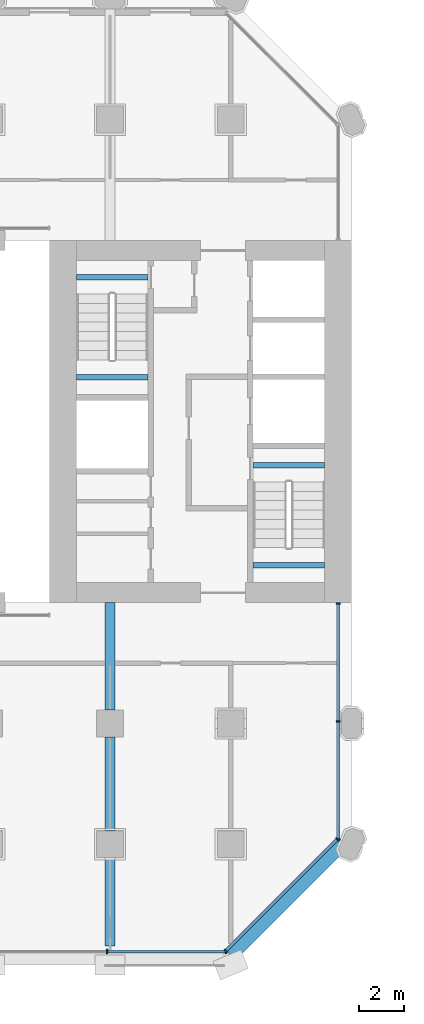
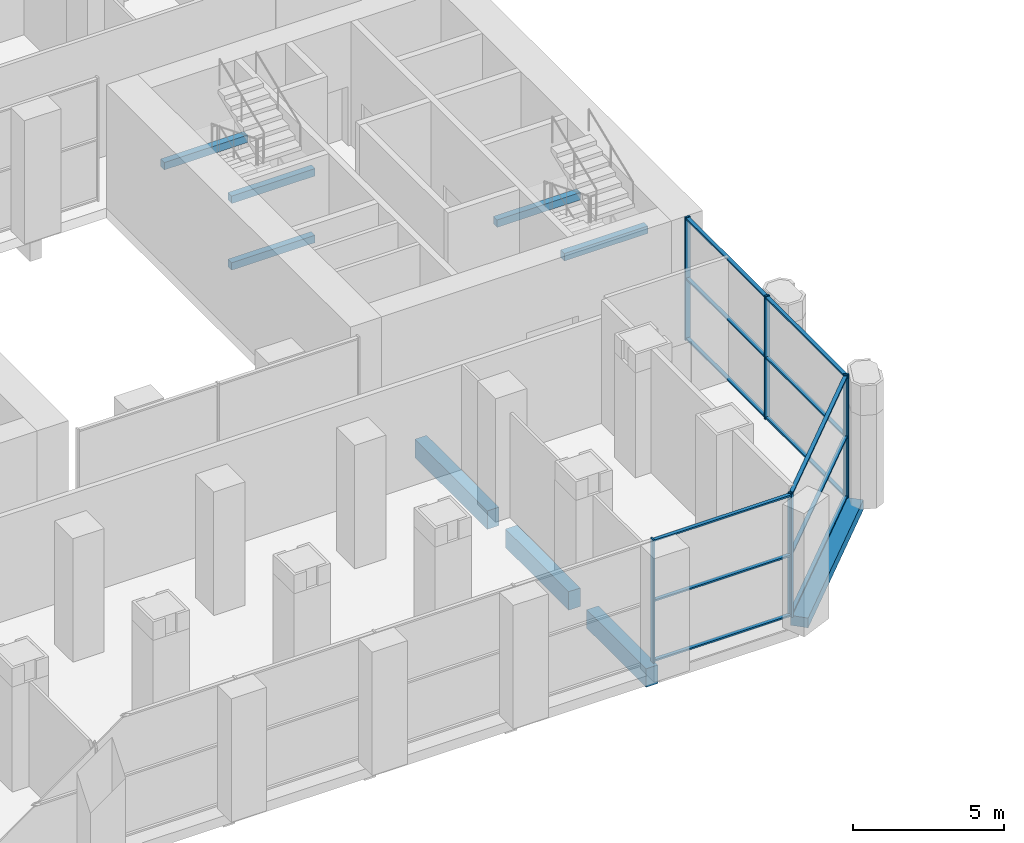
# One storey, part 6 of 27: 19 members, 9 beams, 3 elements without a shape of their own.
"""IFC4 building model written with IfcOpenShell, lengths in metres."""

from ifc_helpers import new_model, si_unit, direction, frame, origin, origin_2d, place, context, subcontext, project, spatial, rectangle, extrude, material, material_profile, profile_set, type_object, element, aggregate, save


model = new_model("IFC4")

# Units and contexts
model_context = context("Model", 3, precision=1e-05, world=origin(), true_north=direction((0.0, 1.0)))
body_context = subcontext(model_context, "Body", "Model", "MODEL_VIEW")
ifc_project = project(units=[si_unit("LENGTHUNIT", "METRE"), si_unit("AREAUNIT", "SQUARE_METRE"), si_unit("VOLUMEUNIT", "CUBIC_METRE"), si_unit("PLANEANGLEUNIT", "RADIAN"), si_unit("MASSUNIT", "GRAM", prefix="KILO")], contexts=[model_context])

# Site, building, storey
site_placement = place(None, origin())
site = spatial("IfcSite", under=ifc_project, at=site_placement, CompositionType="ELEMENT")
building_placement = place(site_placement, origin())
building = spatial("IfcBuilding", under=site, at=building_placement, Name="Tabaq Tower and Sports Hall", CompositionType="ELEMENT")
storey_placement = place(building_placement, frame((0.0, 0.0, 14.39990234375)))
storey = spatial("IfcBuildingStorey", under=building, at=storey_placement, Name="L02", CompositionType="ELEMENT", Elevation=14.39990234375)

# Curtain wall, members
ifc_material_1 = material(Name="Aluminium alloy 6063-T6 framed glazing", Category="aluminium")
curtain_wall_type = type_object("IfcCurtainWallType", Name="CW7 curtain wall", PredefinedType="USERDEFINED", material=ifc_material_1)
curtain_wall_1_placement = place(storey_placement, origin())
curtain_wall_1 = element("IfcCurtainWall", 1, at=curtain_wall_1_placement, inside=storey, type_object=curtain_wall_type, Name="Podium Wall L02 S", ObjectType="PODIUM WALL", PredefinedType="USERDEFINED")
ifc_material_2 = material(Name="Aluminium alloy 6063-T6", Category="aluminium")
ifc_material_profile_1 = material_profile(ifc_material_2, rectangle(XDim=0.179931640625, YDim=0.06494140625, at=origin_2d()), Name="MULLION 180x65")
ifc_profile_set_1 = profile_set([ifc_material_profile_1], Name="Aluminium alloy 6063-T6")
member_type_1 = type_object("IfcMemberType", Name="CW7 mullion 180x65", PredefinedType="MULLION", material=ifc_profile_set_1)
member_1_placement = place(storey_placement, frame((32.275634765625, 0.60009765625, 0.0), z_axis=(0.0, 0.0, 1.0), x_axis=(0.0, 1.0, 0.0)))
member_1 = element("IfcMember", 2, at=member_1_placement, type_object=member_type_1, Name="CW7 mullion 6", PredefinedType="MULLION", context=body_context, shape_type="SweptSolid", body=[
    extrude(rectangle(XDim=0.179931640625, YDim=0.06494140625, at=origin_2d()), origin(), (0.0, 0.0, 1.0), 5.0),
])
member_2_placement = place(storey_placement, frame((37.5810546875, 0.60009765625, 0.0), z_axis=(0.0, 0.0, 1.0), x_axis=(0.0, 1.0, 0.0)))
member_2 = element("IfcMember", 3, at=member_2_placement, type_object=member_type_1, Name="CW7 mullion 7", PredefinedType="MULLION", context=body_context, shape_type="SweptSolid", body=[
    extrude(rectangle(XDim=0.179931640625, YDim=0.06494140625, at=origin_2d()), origin(), (0.0, 0.0, 1.0), 5.0),
])

curtain_wall_2_placement = place(storey_placement, origin())
curtain_wall_2 = element("IfcCurtainWall", 4, at=curtain_wall_2_placement, inside=storey, type_object=curtain_wall_type, Name="Podium Wall L02 SE", ObjectType="PODIUM WALL", PredefinedType="USERDEFINED")
member_3_placement = place(storey_placement, frame((37.574462890625, 0.623046875, 0.0), z_axis=(0.0, 0.0, 1.0), x_axis=(-0.707106781187, 0.707106781187, 0.0)))
member_3 = element("IfcMember", 5, at=member_3_placement, type_object=member_type_1, Name="CW7 mullion 1", PredefinedType="MULLION", context=body_context, shape_type="SweptSolid", body=[
    extrude(rectangle(XDim=0.179931640625, YDim=0.06494140625, at=origin_2d()), origin(), (0.0, 0.0, 1.0), 5.0),
])
member_4_placement = place(storey_placement, frame((42.576904296875, 5.62548828125, 0.0), z_axis=(0.0, 0.0, 1.0), x_axis=(-0.707106781187, 0.707106781187, 0.0)))
member_4 = element("IfcMember", 6, at=member_4_placement, type_object=member_type_1, Name="CW7 mullion 2", PredefinedType="MULLION", context=body_context, shape_type="SweptSolid", body=[
    extrude(rectangle(XDim=0.179931640625, YDim=0.06494140625, at=origin_2d()), origin(), (0.0, 0.0, 1.0), 5.0),
])

curtain_wall_3_placement = place(storey_placement, origin())
curtain_wall_3 = element("IfcCurtainWall", 7, at=curtain_wall_3_placement, inside=storey, type_object=curtain_wall_type, Name="Podium Wall L02 E", ObjectType="PODIUM WALL", PredefinedType="USERDEFINED")
member_5_placement = place(storey_placement, frame((42.60009765625, 5.618896484375, 0.0), z_axis=(0.0, 0.0, 1.0), x_axis=(-1.0, 0.0, 0.0)))
member_5 = element("IfcMember", 8, at=member_5_placement, type_object=member_type_1, Name="CW7 mullion 1", PredefinedType="MULLION", context=body_context, shape_type="SweptSolid", body=[
    extrude(rectangle(XDim=0.179931640625, YDim=0.06494140625, at=origin_2d()), origin(), (0.0, 0.0, 1.0), 5.0),
])
member_6_placement = place(storey_placement, frame((42.60009765625, 10.893310546875, 0.0), z_axis=(0.0, 0.0, 1.0), x_axis=(-1.0, 0.0, 0.0)))
member_6 = element("IfcMember", 9, at=member_6_placement, type_object=member_type_1, Name="CW7 mullion 2", PredefinedType="MULLION", context=body_context, shape_type="SweptSolid", body=[
    extrude(rectangle(XDim=0.179931640625, YDim=0.06494140625, at=origin_2d()), origin(), (0.0, 0.0, 1.0), 5.0),
])
member_7_placement = place(storey_placement, frame((42.60009765625, 16.16748046875, 0.0), z_axis=(0.0, 0.0, 1.0), x_axis=(-1.0, 0.0, 0.0)))
member_7 = element("IfcMember", 10, at=member_7_placement, type_object=member_type_1, Name="CW7 mullion 3", PredefinedType="MULLION", context=body_context, shape_type="SweptSolid", body=[
    extrude(rectangle(XDim=0.179931640625, YDim=0.06494140625, at=origin_2d()), origin(), (0.0, 0.0, 1.0), 5.0),
])

# Member
ifc_material_3 = material(Name="Aluminium alloy 6063-T6", Category="aluminium")
ifc_material_profile_2 = material_profile(ifc_material_3, rectangle(XDim=0.139892578125, YDim=0.06494140625, at=origin_2d()), Name="TRANSOM 140x65")
ifc_profile_set_2 = profile_set([ifc_material_profile_2], Name="Aluminium alloy 6063-T6")
member_type_2 = type_object("IfcMemberType", Name="CW7 transom 140x65", PredefinedType="USERDEFINED", material=ifc_profile_set_2)
member_8_placement = place(storey_placement, frame((32.308349609375, 0.60009765625, 0.070068359375), z_axis=(1.0, 0.0, 0.0), x_axis=(0.0, 1.0, 0.0)))
member_8 = element("IfcMember", 11, at=member_8_placement, type_object=member_type_2, Name="CW7 transom 6.1", ObjectType="TRANSOM", PredefinedType="USERDEFINED", context=body_context, shape_type="SweptSolid", body=[
    extrude(rectangle(XDim=0.139892578125, YDim=0.06494140625, at=origin_2d()), origin(), (0.0, 0.0, 1.0), 5.240234375),
])

member_9_placement = place(storey_placement, frame((32.308349609375, 0.60009765625, 2.5), z_axis=(1.0, 0.0, 0.0), x_axis=(0.0, 1.0, 0.0)))
member_9 = element("IfcMember", 12, at=member_9_placement, type_object=member_type_2, Name="CW7 transom 6.2", ObjectType="TRANSOM", PredefinedType="USERDEFINED", context=body_context, shape_type="SweptSolid", body=[
    extrude(rectangle(XDim=0.139892578125, YDim=0.06494140625, at=origin_2d()), origin(), (0.0, 0.0, 1.0), 5.240234375),
])

member_10_placement = place(storey_placement, frame((32.308349609375, 0.60009765625, 4.93017578125), z_axis=(1.0, 0.0, 0.0), x_axis=(0.0, 1.0, 0.0)))
member_10 = element("IfcMember", 13, at=member_10_placement, type_object=member_type_2, Name="CW7 transom 6.3", ObjectType="TRANSOM", PredefinedType="USERDEFINED", context=body_context, shape_type="SweptSolid", body=[
    extrude(rectangle(XDim=0.139892578125, YDim=0.06494140625, at=origin_2d()), origin(), (0.0, 0.0, 1.0), 5.240234375),
])

aggregate(curtain_wall_1, [member_1, member_2, member_8, member_9, member_10])

member_11_placement = place(storey_placement, frame((37.597412109375, 0.64599609375, 0.070068359375), z_axis=(0.707106781187, 0.707106781187, 0.0), x_axis=(-0.707106781187, 0.707106781187, 0.0)))
member_11 = element("IfcMember", 14, at=member_11_placement, type_object=member_type_2, Name="CW7 transom 1.1", ObjectType="TRANSOM", PredefinedType="USERDEFINED", context=body_context, shape_type="SweptSolid", body=[
    extrude(rectangle(XDim=0.139892578125, YDim=0.06494140625, at=origin_2d()), origin(), (0.0, 0.0, 1.0), 7.009521484375),
])

member_12_placement = place(storey_placement, frame((37.597412109375, 0.64599609375, 2.5), z_axis=(0.707106781187, 0.707106781187, 0.0), x_axis=(-0.707106781187, 0.707106781187, 0.0)))
member_12 = element("IfcMember", 15, at=member_12_placement, type_object=member_type_2, Name="CW7 transom 1.2", ObjectType="TRANSOM", PredefinedType="USERDEFINED", context=body_context, shape_type="SweptSolid", body=[
    extrude(rectangle(XDim=0.139892578125, YDim=0.06494140625, at=origin_2d()), origin(), (0.0, 0.0, 1.0), 7.009521484375),
])

member_13_placement = place(storey_placement, frame((37.597412109375, 0.64599609375, 4.93017578125), z_axis=(0.707106781187, 0.707106781187, 0.0), x_axis=(-0.707106781187, 0.707106781187, 0.0)))
member_13 = element("IfcMember", 16, at=member_13_placement, type_object=member_type_2, Name="CW7 transom 1.3", ObjectType="TRANSOM", PredefinedType="USERDEFINED", context=body_context, shape_type="SweptSolid", body=[
    extrude(rectangle(XDim=0.139892578125, YDim=0.06494140625, at=origin_2d()), origin(), (0.0, 0.0, 1.0), 7.009521484375),
])

aggregate(curtain_wall_2, [member_3, member_4, member_11, member_12, member_13])

member_14_placement = place(storey_placement, frame((42.60009765625, 5.6513671875, 0.070068359375), z_axis=(0.0, 1.0, 0.0), x_axis=(-1.0, 0.0, 0.0)))
member_14 = element("IfcMember", 17, at=member_14_placement, type_object=member_type_2, Name="CW7 transom 1.1", ObjectType="TRANSOM", PredefinedType="USERDEFINED", context=body_context, shape_type="SweptSolid", body=[
    extrude(rectangle(XDim=0.139892578125, YDim=0.06494140625, at=origin_2d()), origin(), (0.0, 0.0, 1.0), 5.209228515625),
])

member_15_placement = place(storey_placement, frame((42.60009765625, 5.6513671875, 2.5), z_axis=(0.0, 1.0, 0.0), x_axis=(-1.0, 0.0, 0.0)))
member_15 = element("IfcMember", 18, at=member_15_placement, type_object=member_type_2, Name="CW7 transom 1.2", ObjectType="TRANSOM", PredefinedType="USERDEFINED", context=body_context, shape_type="SweptSolid", body=[
    extrude(rectangle(XDim=0.139892578125, YDim=0.06494140625, at=origin_2d()), origin(), (0.0, 0.0, 1.0), 5.209228515625),
])

member_16_placement = place(storey_placement, frame((42.60009765625, 5.6513671875, 4.93017578125), z_axis=(0.0, 1.0, 0.0), x_axis=(-1.0, 0.0, 0.0)))
member_16 = element("IfcMember", 19, at=member_16_placement, type_object=member_type_2, Name="CW7 transom 1.3", ObjectType="TRANSOM", PredefinedType="USERDEFINED", context=body_context, shape_type="SweptSolid", body=[
    extrude(rectangle(XDim=0.139892578125, YDim=0.06494140625, at=origin_2d()), origin(), (0.0, 0.0, 1.0), 5.209228515625),
])

member_17_placement = place(storey_placement, frame((42.60009765625, 10.92578125, 0.070068359375), z_axis=(0.0, 1.0, 0.0), x_axis=(-1.0, 0.0, 0.0)))
member_17 = element("IfcMember", 20, at=member_17_placement, type_object=member_type_2, Name="CW7 transom 2.1", ObjectType="TRANSOM", PredefinedType="USERDEFINED", context=body_context, shape_type="SweptSolid", body=[
    extrude(rectangle(XDim=0.139892578125, YDim=0.06494140625, at=origin_2d()), origin(), (0.0, 0.0, 1.0), 5.209228515625),
])

member_18_placement = place(storey_placement, frame((42.60009765625, 10.92578125, 2.5), z_axis=(0.0, 1.0, 0.0), x_axis=(-1.0, 0.0, 0.0)))
member_18 = element("IfcMember", 21, at=member_18_placement, type_object=member_type_2, Name="CW7 transom 2.2", ObjectType="TRANSOM", PredefinedType="USERDEFINED", context=body_context, shape_type="SweptSolid", body=[
    extrude(rectangle(XDim=0.139892578125, YDim=0.06494140625, at=origin_2d()), origin(), (0.0, 0.0, 1.0), 5.209228515625),
])

member_19_placement = place(storey_placement, frame((42.60009765625, 10.92578125, 4.93017578125), z_axis=(0.0, 1.0, 0.0), x_axis=(-1.0, 0.0, 0.0)))
member_19 = element("IfcMember", 22, at=member_19_placement, type_object=member_type_2, Name="CW7 transom 2.3", ObjectType="TRANSOM", PredefinedType="USERDEFINED", context=body_context, shape_type="SweptSolid", body=[
    extrude(rectangle(XDim=0.139892578125, YDim=0.06494140625, at=origin_2d()), origin(), (0.0, 0.0, 1.0), 5.209228515625),
])

aggregate(curtain_wall_3, [member_5, member_6, member_7, member_14, member_15, member_16, member_17, member_18, member_19])

# Beams
ifc_material_4 = material(Name="Concrete C40/50", Category="concrete")
ifc_material_profile_3 = material_profile(ifc_material_4, rectangle(XDim=0.449951171875, YDim=0.75, at=origin_2d()), Name="CB 450x750")
ifc_profile_set_3 = profile_set([ifc_material_profile_3], Name="Concrete C40/50")
beam_type_1 = type_object("IfcBeamType", Name="PT CANTILEVER BEAM CB 450x750 C40/50", PredefinedType="BEAM", material=ifc_profile_set_3)
beam_1_placement = place(storey_placement, frame((32.39990234375, 0.85009765625, -0.77490234375), z_axis=(0.0, 1.0, 0.0), x_axis=(-1.0, 0.0, 0.0)))
element("IfcBeam", 23, at=beam_1_placement, inside=storey, type_object=beam_type_1, Name="Cantilever Beam L02 S6 span 1", PredefinedType="BEAM", context=body_context, shape_type="SweptSolid", body=[
    extrude(rectangle(XDim=0.449951171875, YDim=0.75, at=origin_2d()), origin(), (0.0, 0.0, 1.0), 3.949951171875),
])
beam_2_placement = place(storey_placement, frame((32.39990234375, 6.0, -0.77490234375), z_axis=(0.0, 1.0, 0.0), x_axis=(-1.0, 0.0, 0.0)))
element("IfcBeam", 24, at=beam_2_placement, inside=storey, type_object=beam_type_1, Name="Cantilever Beam L02 S6 span 2", PredefinedType="BEAM", context=body_context, shape_type="SweptSolid", body=[
    extrude(rectangle(XDim=0.449951171875, YDim=0.75, at=origin_2d()), origin(), (0.0, 0.0, 1.0), 4.199951171875),
])
beam_3_placement = place(storey_placement, frame((32.39990234375, 11.39990234375, -0.77490234375), z_axis=(0.0, 1.0, 0.0), x_axis=(-1.0, 0.0, 0.0)))
element("IfcBeam", 25, at=beam_3_placement, inside=storey, type_object=beam_type_1, Name="Cantilever Beam L02 S6 span 3", PredefinedType="BEAM", context=body_context, shape_type="SweptSolid", body=[
    extrude(rectangle(XDim=0.449951171875, YDim=0.75, at=origin_2d()), origin(), (0.0, 0.0, 1.0), 4.800048828125),
])
ifc_material_5 = material(Name="Concrete C40/50", Category="concrete")
ifc_material_profile_4 = material_profile(ifc_material_5, rectangle(XDim=0.60009765625, YDim=0.39990234375, at=origin_2d()), Name="EB 600x400")
ifc_profile_set_4 = profile_set([ifc_material_profile_4], Name="Concrete C40/50")
beam_type_2 = type_object("IfcBeamType", Name="PT EDGE BEAM EB 600x400 C40/50", PredefinedType="SPANDREL", material=ifc_profile_set_4)
beam_4_placement = place(storey_placement, frame((37.799072265625, 0.42333984375, -0.199951171875), z_axis=(0.707106781187, 0.707106781187, 0.0), x_axis=(-0.707106781187, 0.707106781187, 0.0)))
element("IfcBeam", 26, at=beam_4_placement, inside=storey, type_object=beam_type_2, Name="Edge Beam L02 2", PredefinedType="SPANDREL", context=body_context, shape_type="SweptSolid", body=[
    extrude(rectangle(XDim=0.60009765625, YDim=0.39990234375, at=origin_2d()), origin(), (0.0, 0.0, 1.0), 7.087890625),
])
ifc_material_6 = material(Name="Concrete C40/50", Category="concrete")
ifc_material_profile_5 = material_profile(ifc_material_6, rectangle(XDim=0.25, YDim=0.300048828125, at=origin_2d()), Name="RC 250x300")
ifc_profile_set_5 = profile_set([ifc_material_profile_5], Name="Concrete C40/50")
beam_type_3 = type_object("IfcBeamType", Name="Stair landing beam 250x300", PredefinedType="BEAM", material=ifc_profile_set_5)
for number, where, z_axis, x_axis, name in (
    (27, (38.800048828125, 22.35009765625, 2.35009765625), (1.0, 0.0, 0.0), (0.0, 1.0, 0.0), "L02 ST3 landing beam 2"),
    (28, (38.800048828125, 17.8798828125, 3.7001953125), (1.0, 0.0, 0.0), (0.0, 1.0, 0.0), "L02 ST3 landing beam 3"),
):
    element("IfcBeam", number, at=place(storey_placement, frame(where, z_axis=z_axis, x_axis=x_axis)), inside=storey, type_object=beam_type_3, Name=name, PredefinedType="BEAM", context=body_context, shape_type="SweptSolid", body=[
        extrude(rectangle(XDim=0.25, YDim=0.300048828125, at=origin_2d()), origin(), (0.0, 0.0, 1.0), 3.199951171875),
    ])
for number, where, z_axis, x_axis, name in (
    (29, (30.89990234375, 26.280029296875, 1.0), (1.0, 0.0, 0.0), (0.0, 1.0, 0.0), "L02 ST4 landing beam 1"),
    (30, (30.89990234375, 30.75, 2.35009765625), (1.0, 0.0, 0.0), (0.0, 1.0, 0.0), "L02 ST4 landing beam 2"),
    (31, (30.89990234375, 26.280029296875, 3.7001953125), (1.0, 0.0, 0.0), (0.0, 1.0, 0.0), "L02 ST4 landing beam 3"),
):
    element("IfcBeam", number, at=place(storey_placement, frame(where, z_axis=z_axis, x_axis=x_axis)), inside=storey, type_object=beam_type_3, Name=name, PredefinedType="BEAM", context=body_context, shape_type="SweptSolid", body=[
        extrude(rectangle(XDim=0.25, YDim=0.300048828125, at=origin_2d()), origin(), (0.0, 0.0, 1.0), 3.2001953125),
    ])

save(model, "model.ifc")
